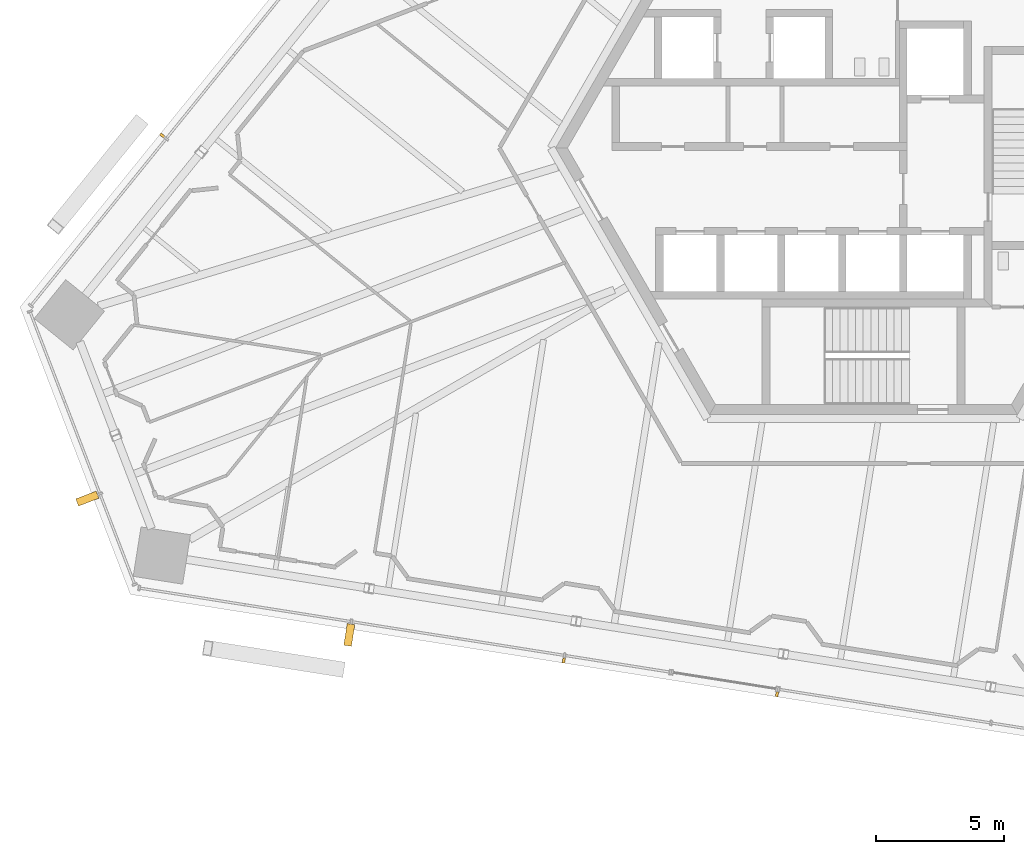
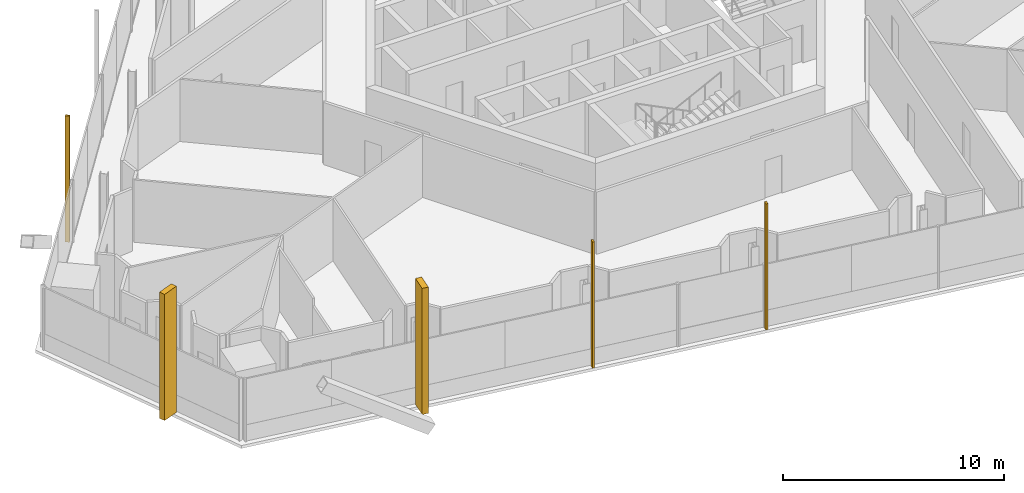
# One storey, part 17 of 23: 5 shading devices.
"""IFC4 building model written with IfcOpenShell, lengths in metres."""

import ifcopenshell
import ifcopenshell.guid

model = None  # the IFC model being written
_history = None  # IfcOwnerHistory: only IFC2X3 demands one
_inside = {}  # id of a spatial element -> (the spatial element, [elements in it])
_under = {}  # id of a project, library or spatial element -> (it, [spatial elements below it])
_declared = {}  # id of a project -> (the project, [libraries it declares])
_typed = {}  # id of a type object -> (the type object, [elements of that type])
_made_of = {}  # id of a material, layer set ... -> (it, [elements and type objects made of it])


def new_model(schema):
    """Start an empty IFC model of exactly this schema.

    Asked for "IFC4X3", IfcOpenShell would pick the latest addendum, in which some entities
    have other attributes; the version numbers below select the first issue.
    IFC2X3 requires an IfcOwnerHistory on every rooted entity: one is made here for all.
    """
    global model, _history
    if schema == "IFC4X3":
        model = ifcopenshell.file(schema_version=(4, 3, 0, 0))
    else:
        model = ifcopenshell.file(schema=schema)
    _inside.clear()
    _under.clear()
    _declared.clear()
    _typed.clear()
    _made_of.clear()
    _history = None
    if model.schema == "IFC2X3":
        org = make("IfcOrganization", Name="unknown")
        user = make(
            "IfcPersonAndOrganization",
            ThePerson=make("IfcPerson", FamilyName="unknown"),
            TheOrganization=org,
        )
        app = make(
            "IfcApplication",
            ApplicationDeveloper=org,
            Version="unknown",
            ApplicationFullName="unknown",
            ApplicationIdentifier="unknown",
        )
        _history = make(
            "IfcOwnerHistory",
            OwningUser=user,
            OwningApplication=app,
            ChangeAction="ADDED",
            CreationDate=0,
        )
    return model


def make(cls, **values):
    """One entity of the class cls with the attributes given. An attribute that is None is left unset."""
    return model.create_entity(
        cls, **{name: value for name, value in values.items() if value is not None}
    )


def rooted(cls, **values):
    """An entity with a GlobalId (a new one), such as an element, a storey or a relation."""
    return make(cls, GlobalId=ifcopenshell.guid.new(), OwnerHistory=_history, **values)


def si_unit(unit_type, name, prefix=None):
    """IfcSIUnit, for example si_unit("LENGTHUNIT", "METRE", prefix="MILLI")."""
    return make("IfcSIUnit", UnitType=unit_type, Prefix=prefix, Name=name)


def assignment(units):
    """IfcUnitAssignment: the units of a project."""
    return None if units is None else make("IfcUnitAssignment", Units=units)


def point(xyz):
    """IfcCartesianPoint."""
    return None if xyz is None else make("IfcCartesianPoint", Coordinates=xyz)


def direction(xyz):
    """IfcDirection."""
    return None if xyz is None else make("IfcDirection", DirectionRatios=xyz)


def frame(location, z_axis=None, x_axis=None):
    """IfcAxis2Placement3D, a coordinate frame: its origin and axes. An axis left out is left unset."""
    return make(
        "IfcAxis2Placement3D",
        Location=point(location),
        Axis=direction(z_axis),
        RefDirection=direction(x_axis),
    )


def frame_2d(location, x_axis=None):
    """IfcAxis2Placement2D, a coordinate frame in the plane: its origin and x axis."""
    return make(
        "IfcAxis2Placement2D", Location=point(location), RefDirection=direction(x_axis)
    )


def origin():
    """The frame at (0, 0, 0) with its axes left unset."""
    return frame((0.0, 0.0, 0.0))


def origin_2d():
    """The frame at (0, 0) in the plane with its x axis left unset."""
    return frame_2d((0.0, 0.0))


def place(relative_to, where):
    """IfcLocalPlacement: puts the frame where relative to a parent placement (None: the world)."""
    return make(
        "IfcLocalPlacement", PlacementRelTo=relative_to, RelativePlacement=where
    )


def context(
    kind, dimensions, precision=None, world=None, true_north=None, identifier=None
):
    """IfcGeometricRepresentationContext, for example the 3D "Model" context."""
    return make(
        "IfcGeometricRepresentationContext",
        ContextIdentifier=identifier,
        ContextType=kind,
        CoordinateSpaceDimension=dimensions,
        Precision=precision,
        WorldCoordinateSystem=world,
        TrueNorth=true_north,
    )


def subcontext(parent, identifier, kind, view, scale=None):
    """IfcGeometricRepresentationSubContext, for example "Body" below "Model"."""
    return make(
        "IfcGeometricRepresentationSubContext",
        ContextIdentifier=identifier,
        ContextType=kind,
        ParentContext=parent,
        TargetScale=scale,
        TargetView=view,
    )


def project(units=None, contexts=None):
    """IfcProject with its units and contexts."""
    return rooted(
        "IfcProject",
        Name="project",
        RepresentationContexts=contexts,
        UnitsInContext=assignment(units),
    )


def spatial(cls, under=None, at=None, **own):
    """A site, building, storey or space (cls), placed at a placement, below another one or the project."""
    s = rooted(cls, ObjectPlacement=at, **own)
    if under is not None:
        _under.setdefault(under.id(), (under, []))[1].append(s)
    return s


def profile(cls, at=None, kind="AREA", **sizes):
    """A parametric profile (cls). Its sizes go by their IFC names, for example OverallWidth=200.0."""
    return make(cls, ProfileType=kind, Position=at, **sizes)


def rectangle(**sizes):
    """IfcRectangleProfileDef."""
    return profile("IfcRectangleProfileDef", **sizes)


def extrude(swept, where, along, depth):
    """IfcExtrudedAreaSolid: the profile swept, set in the frame where, extruded along a direction by depth."""
    return make(
        "IfcExtrudedAreaSolid",
        SweptArea=swept,
        Position=where,
        ExtrudedDirection=direction(along),
        Depth=depth,
    )


def shape(context_of_items, identifier, shape_type, items):
    """IfcShapeRepresentation: the items that make up one representation, for example the "Body"."""
    return make(
        "IfcShapeRepresentation",
        ContextOfItems=context_of_items,
        RepresentationIdentifier=identifier,
        RepresentationType=shape_type,
        Items=items,
    )


def source(mapping_origin, context_of_items, identifier, shape_type, items):
    """IfcRepresentationMap: a shape defined once, which mapped items show again and again."""
    return make(
        "IfcRepresentationMap",
        MappingOrigin=mapping_origin,
        MappedRepresentation=shape(context_of_items, identifier, shape_type, items),
    )


def transform(
    local_origin,
    x_axis=None,
    y_axis=None,
    z_axis=None,
    scale=None,
    scale2=None,
    scale3=None,
    uniform=True,
):
    """IfcCartesianTransformationOperator3D, or its non-uniform kind. x_axis, y_axis, z_axis: its Axis1, 2, 3."""
    if uniform:
        return make(
            "IfcCartesianTransformationOperator3D",
            Axis1=direction(x_axis),
            Axis2=direction(y_axis),
            LocalOrigin=point(local_origin),
            Scale=scale,
            Axis3=direction(z_axis),
        )
    return make(
        "IfcCartesianTransformationOperator3DnonUniform",
        Axis1=direction(x_axis),
        Axis2=direction(y_axis),
        LocalOrigin=point(local_origin),
        Scale=scale,
        Axis3=direction(z_axis),
        Scale2=scale2,
        Scale3=scale3,
    )


def mapped(mapping_source, mapping_target):
    """IfcMappedItem: shows the shape of a source again, moved by a transform."""
    return make(
        "IfcMappedItem", MappingSource=mapping_source, MappingTarget=mapping_target
    )


def material(Name=None, Category=None):
    """IfcMaterial."""
    return make("IfcMaterial", Name=Name, Category=Category)


def made_of(thing, what):
    """Note that an element or type object is made of a material, layer set ...; save() writes the relation."""
    if what is not None:
        _made_of.setdefault(what.id(), (what, []))[1].append(thing)
    return thing


def element(
    cls,
    number,
    at=None,
    inside=None,
    cuts=None,
    type_object=None,
    material=None,
    context=None,
    identifier="Body",
    shape_type=None,
    held_by="IfcProductDefinitionShape",
    body=None,
    shapes=None,
    **own,
):
    """One element of the class cls, such as IfcWall. Its Tag is "e" and its number.

    at: its placement. inside: the storey or other place that contains it. cuts: it is an
    opening in that element (IfcRelVoidsElement). A single representation is given by context,
    identifier, shape_type and body (its items); several are given by shapes. held_by: the class
    of the entity that holds the representations. save() writes the other relations.
    """
    e = rooted(cls, Tag="e%d" % number, ObjectPlacement=at, **own)
    if body is not None:
        shapes = [shape(context, identifier, shape_type, body)]
    if shapes is not None:
        e.Representation = make(held_by, Representations=shapes)
    if inside is not None:
        _inside.setdefault(inside.id(), (inside, []))[1].append(e)
    if cuts is not None:
        rooted(
            "IfcRelVoidsElement", RelatingBuildingElement=cuts, RelatedOpeningElement=e
        )
    if type_object is not None:
        _typed.setdefault(type_object.id(), (type_object, []))[1].append(e)
    return made_of(e, material)


def aggregate(whole, parts):
    """IfcRelAggregates: a whole, such as a stair, and the parts it consists of."""
    return rooted("IfcRelAggregates", RelatingObject=whole, RelatedObjects=parts)


def save(model, path):
    """Write the relations noted so far, then the file.

    IfcRelAggregates (storeys below a building ...), IfcRelContainedInSpatialStructure (elements
    in a storey), IfcRelDefinesByType, IfcRelAssociatesMaterial and IfcRelDeclares: one each for
    every whole, place, type object, material and project.
    """
    for whole, parts in _under.values():
        aggregate(whole, parts)
    for where, things in _inside.values():
        rooted(
            "IfcRelContainedInSpatialStructure",
            RelatedElements=things,
            RelatingStructure=where,
        )
    for kind, things in _typed.values():
        rooted("IfcRelDefinesByType", RelatedObjects=things, RelatingType=kind)
    for what, things in _made_of.values():
        rooted("IfcRelAssociatesMaterial", RelatedObjects=things, RelatingMaterial=what)
    for by, libraries in _declared.values():
        rooted("IfcRelDeclares", RelatingContext=by, RelatedDefinitions=libraries)
    model.write(path)


model = new_model("IFC4")

# Units and contexts
model_context = context("Model", 3, precision=1e-05, world=origin(), true_north=direction((0.0, 1.0)))
body_context = subcontext(model_context, "Body", "Model", "MODEL_VIEW")
ifc_project = project(units=[si_unit("LENGTHUNIT", "METRE"), si_unit("AREAUNIT", "SQUARE_METRE"), si_unit("VOLUMEUNIT", "CUBIC_METRE"), si_unit("PLANEANGLEUNIT", "RADIAN"), si_unit("MASSUNIT", "GRAM", prefix="KILO")], contexts=[model_context])

# Site, building, storey
site_placement = place(None, origin())
site = spatial("IfcSite", under=ifc_project, at=site_placement, CompositionType="ELEMENT")
building_placement = place(site_placement, origin())
building = spatial("IfcBuilding", under=site, at=building_placement, Name="Triune Harvest Tower", CompositionType="ELEMENT")
storey_placement = place(building_placement, frame((0.0, 0.0, 167.699951171875)))
storey = spatial("IfcBuildingStorey", under=building, at=storey_placement, Name="L43", CompositionType="ELEMENT", Elevation=167.699951171875)

# Shading devices
ifc_material = material(Name="Aluminium bronze anodised", Category="aluminium")
shared_shape_1 = source(origin(), body_context, "Body", "SweptSolid", [
    extrude(rectangle(XDim=0.300048828125, YDim=0.85009765625, at=origin_2d()), origin(), (0.0, 0.0, 1.0), 6.97509765625),
])
for number, where, z_axis, x_axis, name in (
    (1, (-30.248046875, -13.659423828125, 0.0), (0.0, 0.0, 1.0), (0.358368910177, -0.933580057745, 0.0), "FN-2 fin B4-F4.3 L43"),
    (2, (-20.03955078125, -18.974365234375, 0.0), (0.0, 0.0, 1.0), (0.987688259912, -0.156434974453, 0.0), "FN-2 fin B4-F5.3 L43"),
):
    element("IfcShadingDevice", number, at=place(storey_placement, frame(where, z_axis=z_axis, x_axis=x_axis)), inside=storey, material=ifc_material, Name=name, ObjectType="FIN", PredefinedType="USERDEFINED", context=body_context, shape_type="MappedRepresentation", body=[
        mapped(shared_shape_1, transform((0.0, 0.0, 0.0), scale=1.0)),
    ])
shared_shape_2 = source(origin(), body_context, "Body", "SweptSolid", [
    extrude(rectangle(XDim=0.10009765625, YDim=0.199951171875, at=origin_2d()), origin(), (0.0, 0.0, 1.0), 6.97509765625),
])
for number, where, z_axis, x_axis, name in (
    (3, (-27.331298828125, 0.492919921875, 0.0), (0.0, 0.0, 1.0), (-0.629321459087, -0.777145096577, 0.0), "FN-1 fin B4-F3.11 L43"),
    (4, (-11.679931640625, -19.969482421875, 0.0), (0.0, 0.0, 1.0), (0.987688259912, -0.156434974453, 0.0), "FN-1 fin B4-F5.5 L43"),
    (5, (-3.371337890625, -21.285400390625, 0.0), (0.0, 0.0, 1.0), (0.987688259912, -0.156434974453, 0.0), "FN-1 fin B4-F5.7 L43"),
):
    element("IfcShadingDevice", number, at=place(storey_placement, frame(where, z_axis=z_axis, x_axis=x_axis)), inside=storey, material=ifc_material, Name=name, ObjectType="FIN", PredefinedType="USERDEFINED", context=body_context, shape_type="MappedRepresentation", body=[
        mapped(shared_shape_2, transform((0.0, 0.0, 0.0), scale=1.0)),
    ])

save(model, "model.ifc")
